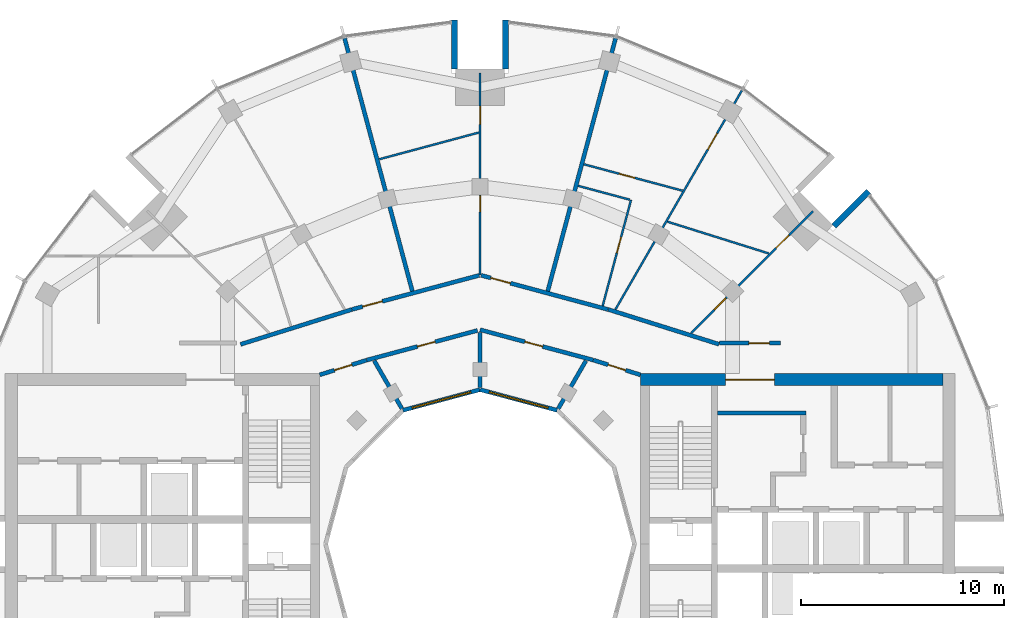
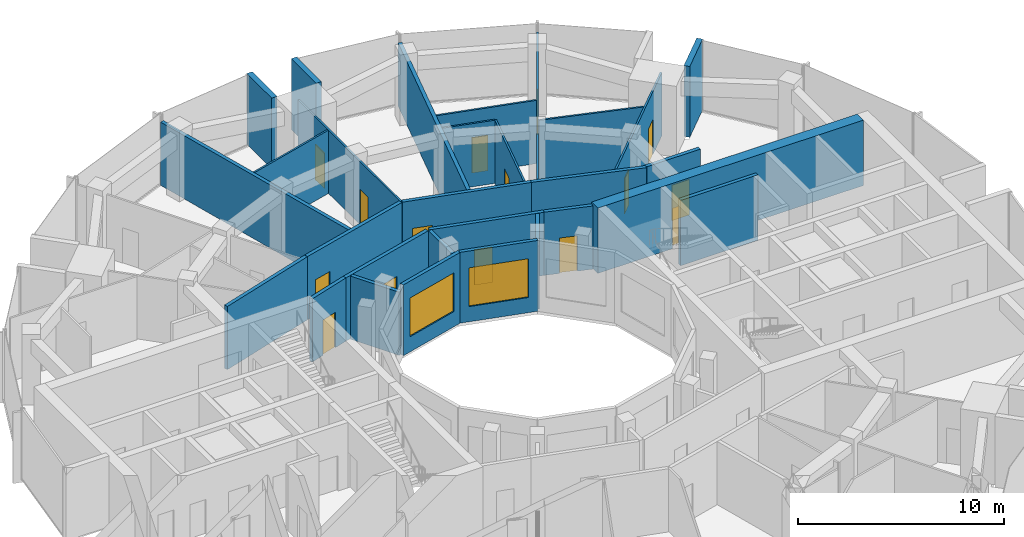
# One storey, part 12 of 15: 29 walls, 15 doors, 2 windows, 17 openings.
"""IFC4 building model written with IfcOpenShell, lengths in metres."""

import ifcopenshell
import ifcopenshell.guid

model = None  # the IFC model being written
_history = None  # IfcOwnerHistory: only IFC2X3 demands one
_inside = {}  # id of a spatial element -> (the spatial element, [elements in it])
_under = {}  # id of a project, library or spatial element -> (it, [spatial elements below it])
_declared = {}  # id of a project -> (the project, [libraries it declares])
_typed = {}  # id of a type object -> (the type object, [elements of that type])
_made_of = {}  # id of a material, layer set ... -> (it, [elements and type objects made of it])


def new_model(schema):
    """Start an empty IFC model of exactly this schema.

    Asked for "IFC4X3", IfcOpenShell would pick the latest addendum, in which some entities
    have other attributes; the version numbers below select the first issue.
    IFC2X3 requires an IfcOwnerHistory on every rooted entity: one is made here for all.
    """
    global model, _history
    if schema == "IFC4X3":
        model = ifcopenshell.file(schema_version=(4, 3, 0, 0))
    else:
        model = ifcopenshell.file(schema=schema)
    _inside.clear()
    _under.clear()
    _declared.clear()
    _typed.clear()
    _made_of.clear()
    _history = None
    if model.schema == "IFC2X3":
        org = make("IfcOrganization", Name="unknown")
        user = make(
            "IfcPersonAndOrganization",
            ThePerson=make("IfcPerson", FamilyName="unknown"),
            TheOrganization=org,
        )
        app = make(
            "IfcApplication",
            ApplicationDeveloper=org,
            Version="unknown",
            ApplicationFullName="unknown",
            ApplicationIdentifier="unknown",
        )
        _history = make(
            "IfcOwnerHistory",
            OwningUser=user,
            OwningApplication=app,
            ChangeAction="ADDED",
            CreationDate=0,
        )
    return model


def make(cls, **values):
    """One entity of the class cls with the attributes given. An attribute that is None is left unset."""
    return model.create_entity(
        cls, **{name: value for name, value in values.items() if value is not None}
    )


def rooted(cls, **values):
    """An entity with a GlobalId (a new one), such as an element, a storey or a relation."""
    return make(cls, GlobalId=ifcopenshell.guid.new(), OwnerHistory=_history, **values)


def si_unit(unit_type, name, prefix=None):
    """IfcSIUnit, for example si_unit("LENGTHUNIT", "METRE", prefix="MILLI")."""
    return make("IfcSIUnit", UnitType=unit_type, Prefix=prefix, Name=name)


def assignment(units):
    """IfcUnitAssignment: the units of a project."""
    return None if units is None else make("IfcUnitAssignment", Units=units)


def point(xyz):
    """IfcCartesianPoint."""
    return None if xyz is None else make("IfcCartesianPoint", Coordinates=xyz)


def direction(xyz):
    """IfcDirection."""
    return None if xyz is None else make("IfcDirection", DirectionRatios=xyz)


def frame(location, z_axis=None, x_axis=None):
    """IfcAxis2Placement3D, a coordinate frame: its origin and axes. An axis left out is left unset."""
    return make(
        "IfcAxis2Placement3D",
        Location=point(location),
        Axis=direction(z_axis),
        RefDirection=direction(x_axis),
    )


def frame_2d(location, x_axis=None):
    """IfcAxis2Placement2D, a coordinate frame in the plane: its origin and x axis."""
    return make(
        "IfcAxis2Placement2D", Location=point(location), RefDirection=direction(x_axis)
    )


def origin():
    """The frame at (0, 0, 0) with its axes left unset."""
    return frame((0.0, 0.0, 0.0))


def place(relative_to, where):
    """IfcLocalPlacement: puts the frame where relative to a parent placement (None: the world)."""
    return make(
        "IfcLocalPlacement", PlacementRelTo=relative_to, RelativePlacement=where
    )


def context(
    kind, dimensions, precision=None, world=None, true_north=None, identifier=None
):
    """IfcGeometricRepresentationContext, for example the 3D "Model" context."""
    return make(
        "IfcGeometricRepresentationContext",
        ContextIdentifier=identifier,
        ContextType=kind,
        CoordinateSpaceDimension=dimensions,
        Precision=precision,
        WorldCoordinateSystem=world,
        TrueNorth=true_north,
    )


def subcontext(parent, identifier, kind, view, scale=None):
    """IfcGeometricRepresentationSubContext, for example "Body" below "Model"."""
    return make(
        "IfcGeometricRepresentationSubContext",
        ContextIdentifier=identifier,
        ContextType=kind,
        ParentContext=parent,
        TargetScale=scale,
        TargetView=view,
    )


def project(units=None, contexts=None):
    """IfcProject with its units and contexts."""
    return rooted(
        "IfcProject",
        Name="project",
        RepresentationContexts=contexts,
        UnitsInContext=assignment(units),
    )


def spatial(cls, under=None, at=None, **own):
    """A site, building, storey or space (cls), placed at a placement, below another one or the project."""
    s = rooted(cls, ObjectPlacement=at, **own)
    if under is not None:
        _under.setdefault(under.id(), (under, []))[1].append(s)
    return s


def profile(cls, at=None, kind="AREA", **sizes):
    """A parametric profile (cls). Its sizes go by their IFC names, for example OverallWidth=200.0."""
    return make(cls, ProfileType=kind, Position=at, **sizes)


def rectangle(**sizes):
    """IfcRectangleProfileDef."""
    return profile("IfcRectangleProfileDef", **sizes)


def extrude(swept, where, along, depth):
    """IfcExtrudedAreaSolid: the profile swept, set in the frame where, extruded along a direction by depth."""
    return make(
        "IfcExtrudedAreaSolid",
        SweptArea=swept,
        Position=where,
        ExtrudedDirection=direction(along),
        Depth=depth,
    )


def shape(context_of_items, identifier, shape_type, items):
    """IfcShapeRepresentation: the items that make up one representation, for example the "Body"."""
    return make(
        "IfcShapeRepresentation",
        ContextOfItems=context_of_items,
        RepresentationIdentifier=identifier,
        RepresentationType=shape_type,
        Items=items,
    )


def material(Name=None, Category=None):
    """IfcMaterial."""
    return make("IfcMaterial", Name=Name, Category=Category)


def layer(
    of_material, thickness, ventilated=None, Name=None, Category=None, Priority=None
):
    """IfcMaterialLayer: one layer of a wall or slab, of a material (None: an air gap)."""
    return make(
        "IfcMaterialLayer",
        Material=of_material,
        LayerThickness=thickness,
        IsVentilated=ventilated,
        Name=Name,
        Category=Category,
        Priority=Priority,
    )


def layer_set(layers, Name=None):
    """IfcMaterialLayerSet."""
    return make("IfcMaterialLayerSet", MaterialLayers=layers, LayerSetName=Name)


def made_of(thing, what):
    """Note that an element or type object is made of a material, layer set ...; save() writes the relation."""
    if what is not None:
        _made_of.setdefault(what.id(), (what, []))[1].append(thing)
    return thing


def type_object(cls, material=None, **own):
    """A type object (cls), such as IfcWallType, which elements share."""
    return made_of(rooted(cls, **own), material)


def element(
    cls,
    number,
    at=None,
    inside=None,
    cuts=None,
    type_object=None,
    material=None,
    context=None,
    identifier="Body",
    shape_type=None,
    held_by="IfcProductDefinitionShape",
    body=None,
    shapes=None,
    **own,
):
    """One element of the class cls, such as IfcWall. Its Tag is "e" and its number.

    at: its placement. inside: the storey or other place that contains it. cuts: it is an
    opening in that element (IfcRelVoidsElement). A single representation is given by context,
    identifier, shape_type and body (its items); several are given by shapes. held_by: the class
    of the entity that holds the representations. save() writes the other relations.
    """
    e = rooted(cls, Tag="e%d" % number, ObjectPlacement=at, **own)
    if body is not None:
        shapes = [shape(context, identifier, shape_type, body)]
    if shapes is not None:
        e.Representation = make(held_by, Representations=shapes)
    if inside is not None:
        _inside.setdefault(inside.id(), (inside, []))[1].append(e)
    if cuts is not None:
        rooted(
            "IfcRelVoidsElement", RelatingBuildingElement=cuts, RelatedOpeningElement=e
        )
    if type_object is not None:
        _typed.setdefault(type_object.id(), (type_object, []))[1].append(e)
    return made_of(e, material)


def fill(opening, filler):
    """IfcRelFillsElement: the door or window that sits in an opening."""
    return rooted(
        "IfcRelFillsElement",
        RelatingOpeningElement=opening,
        RelatedBuildingElement=filler,
    )


def aggregate(whole, parts):
    """IfcRelAggregates: a whole, such as a stair, and the parts it consists of."""
    return rooted("IfcRelAggregates", RelatingObject=whole, RelatedObjects=parts)


def save(model, path):
    """Write the relations noted so far, then the file.

    IfcRelAggregates (storeys below a building ...), IfcRelContainedInSpatialStructure (elements
    in a storey), IfcRelDefinesByType, IfcRelAssociatesMaterial and IfcRelDeclares: one each for
    every whole, place, type object, material and project.
    """
    for whole, parts in _under.values():
        aggregate(whole, parts)
    for where, things in _inside.values():
        rooted(
            "IfcRelContainedInSpatialStructure",
            RelatedElements=things,
            RelatingStructure=where,
        )
    for kind, things in _typed.values():
        rooted("IfcRelDefinesByType", RelatedObjects=things, RelatingType=kind)
    for what, things in _made_of.values():
        rooted("IfcRelAssociatesMaterial", RelatedObjects=things, RelatingMaterial=what)
    for by, libraries in _declared.values():
        rooted("IfcRelDeclares", RelatingContext=by, RelatedDefinitions=libraries)
    model.write(path)


model = new_model("IFC4")

# Units and contexts
model_context = context("Model", 3, precision=1e-05, world=origin(), true_north=direction((0.0, 1.0)))
body_context = subcontext(model_context, "Body", "Model", "MODEL_VIEW")
ifc_project = project(units=[si_unit("LENGTHUNIT", "METRE"), si_unit("AREAUNIT", "SQUARE_METRE"), si_unit("VOLUMEUNIT", "CUBIC_METRE"), si_unit("PLANEANGLEUNIT", "RADIAN"), si_unit("MASSUNIT", "GRAM", prefix="KILO")], contexts=[model_context])

# Site, building, storey
site_placement = place(None, origin())
site = spatial("IfcSite", under=ifc_project, at=site_placement, CompositionType="ELEMENT")
building_placement = place(site_placement, origin())
building = spatial("IfcBuilding", under=site, at=building_placement, Name="Torre Brocal", CompositionType="ELEMENT")
storey_placement = place(building_placement, frame((0.0, 0.0, 245.699951171875)))
storey = spatial("IfcBuildingStorey", under=building, at=storey_placement, Name="L56", CompositionType="ELEMENT", Elevation=245.699951171875)

# Wall
ifc_material_1 = material(Name="Concrete C60", Category="concrete")
ifc_layer_1 = layer(ifc_material_1, 0.199951171875)
ifc_layer_set_1 = layer_set([ifc_layer_1], Name="Concrete C60")
wall_type_1 = type_object("IfcWallType", Name="CORE WALL 200 C60", PredefinedType="SHEAR", material=ifc_layer_set_1)
wall_1_placement = place(storey_placement, frame((91.699951171875, 81.449951171875, 0.0), z_axis=(0.0, 0.0, 1.0), x_axis=(1.0, 0.0, 0.0)))
element("IfcWall", 1, at=wall_1_placement, inside=storey, type_object=wall_type_1, Name="Wall CW200-60", PredefinedType="SHEAR", context=body_context, shape_type="SweptSolid", body=[
    extrude(rectangle(XDim=4.35009765625, YDim=0.199951171875, at=frame_2d((2.175048828125, 0.0))), origin(), (0.0, 0.0, 1.0), 3.880126953125),
])

# Wall, opening, door
ifc_material_2 = material(Name="Concrete C60", Category="concrete")
ifc_layer_2 = layer(ifc_material_2, 0.60009765625)
ifc_layer_set_2 = layer_set([ifc_layer_2], Name="Concrete C60")
wall_type_2 = type_object("IfcWallType", Name="CORE WALL 600 C60", PredefinedType="SHEAR", material=ifc_layer_set_2)
wall_2_placement = place(storey_placement, frame((87.89990234375, 83.10009765625, 0.0), z_axis=(0.0, 0.0, 1.0), x_axis=(1.0, 0.0, 0.0)))
wall_2 = element("IfcWall", 2, at=wall_2_placement, inside=storey, type_object=wall_type_2, Name="Wall CW600-60", PredefinedType="SHEAR", context=body_context, shape_type="SweptSolid", body=[
    extrude(rectangle(XDim=14.900146484375, YDim=0.60009765625, at=frame_2d((7.4501953125, 0.0))), origin(), (0.0, 0.0, 1.0), 3.880126953125),
])
opening_1_placement = place(wall_2_placement, frame((4.199951171875, 0.0, 0.0)))
opening_1 = element("IfcOpeningElement", 3, at=opening_1_placement, cuts=wall_2, Name="Opening E-D34", PredefinedType="OPENING", context=body_context, shape_type="SweptSolid", body=[
    extrude(rectangle(XDim=2.39990234375, YDim=2.39990234375, at=frame_2d((1.199951171875, 1.199951171875))), frame((0.0, 0.31005859375, 0.0), z_axis=(0.0, -1.0, 0.0), x_axis=(1.0, 0.0, 0.0)), (0.0, 0.0, 1.0), 0.6201171875),
])
ifc_material_3 = material(Name="Steel A653", Category="steel")
door_type_1 = type_object("IfcDoorType", Name="DOUBLE FIRE DOOR FD90 2400X2400", OperationType="DOUBLE_DOOR_SINGLE_SWING", PredefinedType="DOOR", material=ifc_material_3)
door_1_placement = place(opening_1_placement, frame((2.39990234375, 0.0, 0.0), z_axis=(0.0, 0.0, 1.0), x_axis=(-1.0, 0.0, 0.0)))
door_1 = element("IfcDoor", 4, at=door_1_placement, inside=storey, type_object=door_type_1, Name="Door E-D34", OperationType="DOUBLE_DOOR_SINGLE_SWING", OverallHeight=2.39990234375, OverallWidth=2.39990234375, PredefinedType="DOOR", context=body_context, shape_type="SweptSolid", body=[
    extrude(rectangle(XDim=2.39990234375, YDim=2.39990234375, at=frame_2d((1.199951171875, 1.199951171875))), frame((0.0, 0.02490234375, 0.0), z_axis=(0.0, -1.0, 0.0), x_axis=(1.0, 0.0, 0.0)), (0.0, 0.0, 1.0), 0.050048828125),
])
fill(opening_1, door_1)

# Walls
ifc_material_4 = material(Name="Concrete C60", Category="concrete")
ifc_layer_3 = layer(ifc_material_4, 0.300048828125)
ifc_layer_set_3 = layer_set([ifc_layer_3], Name="Concrete C60")
wall_type_3 = type_object("IfcWallType", Name="NOTCH RETURN WALL 300 C60", PredefinedType="NOTDEFINED", material=ifc_layer_set_3)
for number, where, z_axis, x_axis, name in (
    (5, (97.43017578125, 90.662353515625, 0.0), (0.0, 0.0, 1.0), (0.707106781187, 0.707106781187, 0.0), "NOTCH RETURN WALL"),
    (6, (81.25, 98.39990234375, 0.0), (0.0, 0.0, 1.0), (0.0, 1.0, 0.0), "NOTCH RETURN WALL"),
    (7, (78.75, 98.39990234375, 0.0), (0.0, 0.0, 1.0), (0.0, 1.0, 0.0), "NOTCH RETURN WALL"),
):
    element("IfcWall", number, at=place(storey_placement, frame(where, z_axis=z_axis, x_axis=x_axis)), inside=storey, type_object=wall_type_3, Name=name, PredefinedType="NOTDEFINED", context=body_context, shape_type="SweptSolid", body=[
        extrude(rectangle(XDim=2.415771484375, YDim=0.300048828125, at=frame_2d((1.2080078125, 0.0))), origin(), (0.0, 0.0, 1.0), 4.199951171875),
    ])
ifc_material_5 = material(Name="Gypsum board", Category="Gypsum")
ifc_layer_4 = layer(ifc_material_5, 0.10009765625)
ifc_layer_set_4 = layer_set([ifc_layer_4], Name="Gypsum board")
wall_type_4 = type_object("IfcWallType", Name="PARTITION 100", PredefinedType="PARTITIONING", material=ifc_layer_set_4)
wall_3_placement = place(storey_placement, frame((75.03515625, 93.95458984375, 0.0), z_axis=(0.0, 0.0, 1.0), x_axis=(0.965868648254, 0.259032342228, 0.0)))
element("IfcWall", 8, at=wall_3_placement, inside=storey, type_object=wall_type_4, Name="BATHROOM WALL", PredefinedType="PARTITIONING", context=body_context, shape_type="SweptSolid", body=[
    extrude(rectangle(XDim=5.080078125, YDim=0.10009765625, at=frame_2d((2.5400390625, 0.0))), origin(), (0.0, 0.0, 1.0), 3.75),
])

# Wall, openings, doors
wall_4_placement = place(storey_placement, frame((80.0, 88.24609375, 0.0), z_axis=(0.0, 0.0, 1.0), x_axis=(0.0, 1.0, 0.0)))
wall_4 = element("IfcWall", 9, at=wall_4_placement, inside=storey, type_object=wall_type_4, Name="BATHROOM WALL", PredefinedType="PARTITIONING", context=body_context, shape_type="SweptSolid", body=[
    extrude(rectangle(XDim=9.953857421875, YDim=0.10009765625, at=frame_2d((4.97705078125, 0.0))), origin(), (0.0, 0.0, 1.0), 3.75),
])
opening_2_placement = place(wall_4_placement, frame((7.422119140625, 0.0, 0.0)))
opening_2 = element("IfcOpeningElement", 10, at=opening_2_placement, cuts=wall_4, Name="Opening B03-D08", PredefinedType="OPENING", context=body_context, shape_type="SweptSolid", body=[
    extrude(rectangle(XDim=0.89990234375, YDim=2.10009765625, at=frame_2d((0.449951171875, 1.050048828125))), frame((0.0, 0.06005859375, 0.0), z_axis=(0.0, -1.0, 0.0), x_axis=(1.0, 0.0, 0.0)), (0.0, 0.0, 1.0), 0.1201171875),
])
opening_3_placement = place(wall_4_placement, frame((3.1201171875, 0.0, 0.0)))
opening_3 = element("IfcOpeningElement", 11, at=opening_3_placement, cuts=wall_4, Name="Opening B03-D09", PredefinedType="OPENING", context=body_context, shape_type="SweptSolid", body=[
    extrude(rectangle(XDim=0.800048828125, YDim=2.10009765625, at=frame_2d((0.39990234375, 1.050048828125))), frame((0.0, 0.06005859375, 0.0), z_axis=(0.0, -1.0, 0.0), x_axis=(1.0, 0.0, 0.0)), (0.0, 0.0, 1.0), 0.1201171875),
])
ifc_material_6 = material(Name="Timber", Category="wood")
door_type_2 = type_object("IfcDoorType", Name="BATHROOM DOOR 800X2100", OperationType="SINGLE_SWING_LEFT", PredefinedType="DOOR", material=ifc_material_6)
door_2_placement = place(opening_3_placement, origin())
door_2 = element("IfcDoor", 12, at=door_2_placement, inside=storey, type_object=door_type_2, Name="B03-D09", OperationType="SINGLE_SWING_RIGHT", OverallHeight=2.10009765625, OverallWidth=0.800048828125, PredefinedType="DOOR", context=body_context, shape_type="SweptSolid", body=[
    extrude(rectangle(XDim=0.800048828125, YDim=2.10009765625, at=frame_2d((0.39990234375, 1.050048828125))), frame((0.0, 0.02490234375, 0.0), z_axis=(0.0, -1.0, 0.0), x_axis=(1.0, 0.0, 0.0)), (0.0, 0.0, 1.0), 0.050048828125),
])
fill(opening_3, door_2)
ifc_material_7 = material(Name="Timber", Category="wood")
door_type_3 = type_object("IfcDoorType", Name="ROOM DOOR 900X2100", OperationType="SINGLE_SWING_LEFT", PredefinedType="DOOR", material=ifc_material_7)
door_3_placement = place(opening_2_placement, origin())
door_3 = element("IfcDoor", 13, at=door_3_placement, inside=storey, type_object=door_type_3, Name="B03-D08", OperationType="SINGLE_SWING_LEFT", OverallHeight=2.10009765625, OverallWidth=0.89990234375, PredefinedType="DOOR", context=body_context, shape_type="SweptSolid", body=[
    extrude(rectangle(XDim=0.89990234375, YDim=2.10009765625, at=frame_2d((0.449951171875, 1.050048828125))), frame((0.0, 0.02490234375, 0.0), z_axis=(0.0, -1.0, 0.0), x_axis=(1.0, 0.0, 0.0)), (0.0, 0.0, 1.0), 0.050048828125),
])
fill(opening_2, door_3)

# Wall
wall_5_placement = place(storey_placement, frame((84.831298828125, 92.64501953125, 0.0), z_axis=(0.0, 0.0, 1.0), x_axis=(0.965900745566, -0.258912629499, 0.0)))
element("IfcWall", 14, at=wall_5_placement, inside=storey, type_object=wall_type_4, Name="BATHROOM WALL", PredefinedType="PARTITIONING", context=body_context, shape_type="SweptSolid", body=[
    extrude(rectangle(XDim=2.649658203125, YDim=0.10009765625, at=frame_2d((1.32470703125, 0.0))), origin(), (0.0, 0.0, 1.0), 3.75),
])

# Wall, opening, door
wall_6_placement = place(storey_placement, frame((85.115966796875, 93.70703125, 0.0), z_axis=(0.0, 0.0, 1.0), x_axis=(0.965979414561, -0.258618968068, 0.0)))
wall_6 = element("IfcWall", 15, at=wall_6_placement, inside=storey, type_object=wall_type_4, Name="BATHROOM WALL", PredefinedType="PARTITIONING", context=body_context, shape_type="SweptSolid", body=[
    extrude(rectangle(XDim=5.036376953125, YDim=0.10009765625, at=frame_2d((2.51806640625, 0.0))), origin(), (0.0, 0.0, 1.0), 3.75),
])
opening_4_placement = place(wall_6_placement, frame((1.798095703125, 0.0, 0.0)))
opening_4 = element("IfcOpeningElement", 16, at=opening_4_placement, cuts=wall_6, Name="Opening B03-D06", PredefinedType="OPENING", context=body_context, shape_type="SweptSolid", body=[
    extrude(rectangle(XDim=0.800048828125, YDim=2.10009765625, at=frame_2d((0.39990234375, 1.050048828125))), frame((0.0, 0.06005859375, 0.0), z_axis=(0.0, -1.0, 0.0), x_axis=(1.0, 0.0, 0.0)), (0.0, 0.0, 1.0), 0.1201171875),
])
door_4_placement = place(opening_4_placement, origin())
door_4 = element("IfcDoor", 17, at=door_4_placement, inside=storey, type_object=door_type_2, Name="B03-D06", OperationType="SINGLE_SWING_LEFT", OverallHeight=2.10009765625, OverallWidth=0.800048828125, PredefinedType="DOOR", context=body_context, shape_type="SweptSolid", body=[
    extrude(rectangle(XDim=0.800048828125, YDim=2.10009765625, at=frame_2d((0.39990234375, 1.050048828125))), frame((0.0, 0.02490234375, 0.0), z_axis=(0.0, -1.0, 0.0), x_axis=(1.0, 0.0, 0.0)), (0.0, 0.0, 1.0), 0.050048828125),
])
fill(opening_4, door_4)

wall_7_placement = place(storey_placement, frame((86.0419921875, 86.730712890625, 0.0), z_axis=(0.0, 0.0, 1.0), x_axis=(0.258737592043, 0.96594764789, 0.0)))
wall_7 = element("IfcWall", 18, at=wall_7_placement, inside=storey, type_object=wall_type_4, Name="BATHROOM WALL", PredefinedType="PARTITIONING", context=body_context, shape_type="SweptSolid", body=[
    extrude(rectangle(XDim=5.399169921875, YDim=0.10009765625, at=frame_2d((2.69970703125, 0.0))), origin(), (0.0, 0.0, 1.0), 3.75),
])
opening_5_placement = place(wall_7_placement, frame((2.69970703125, 0.0, 0.0)))
opening_5 = element("IfcOpeningElement", 19, at=opening_5_placement, cuts=wall_7, Name="Opening B03-D05", PredefinedType="OPENING", context=body_context, shape_type="SweptSolid", body=[
    extrude(rectangle(XDim=0.800048828125, YDim=2.10009765625, at=frame_2d((0.39990234375, 1.050048828125))), frame((0.0, 0.06005859375, 0.0), z_axis=(0.0, -1.0, 0.0), x_axis=(1.0, 0.0, 0.0)), (0.0, 0.0, 1.0), 0.1201171875),
])
door_5_placement = place(opening_5_placement, origin())
door_5 = element("IfcDoor", 20, at=door_5_placement, inside=storey, type_object=door_type_2, Name="B03-D05", OperationType="SINGLE_SWING_RIGHT", OverallHeight=2.10009765625, OverallWidth=0.800048828125, PredefinedType="DOOR", context=body_context, shape_type="SweptSolid", body=[
    extrude(rectangle(XDim=0.800048828125, YDim=2.10009765625, at=frame_2d((0.39990234375, 1.050048828125))), frame((0.0, 0.02490234375, 0.0), z_axis=(0.0, -1.0, 0.0), x_axis=(1.0, 0.0, 0.0)), (0.0, 0.0, 1.0), 0.050048828125),
])
fill(opening_5, door_5)

wall_8_placement = place(storey_placement, frame((86.670654296875, 86.554443359375, 0.0), z_axis=(0.0, 0.0, 1.0), x_axis=(0.500104188531, 0.865965242151, 0.0)))
wall_8 = element("IfcWall", 21, at=wall_8_placement, inside=storey, type_object=wall_type_4, Name="BATHROOM WALL", PredefinedType="PARTITIONING", context=body_context, shape_type="SweptSolid", body=[
    extrude(rectangle(XDim=12.455810546875, YDim=0.10009765625, at=frame_2d((6.22802734375, 0.0))), origin(), (0.0, 0.0, 1.0), 3.75),
])
opening_6_placement = place(wall_8_placement, frame((9.111328125, 0.0, 0.0)))
opening_6 = element("IfcOpeningElement", 22, at=opening_6_placement, cuts=wall_8, Name="Opening B03-D04", PredefinedType="OPENING", context=body_context, shape_type="SweptSolid", body=[
    extrude(rectangle(XDim=0.89990234375, YDim=2.10009765625, at=frame_2d((0.449951171875, 1.050048828125))), frame((0.0, 0.06005859375, 0.0), z_axis=(0.0, -1.0, 0.0), x_axis=(1.0, 0.0, 0.0)), (0.0, 0.0, 1.0), 0.1201171875),
])
door_6_placement = place(opening_6_placement, frame((0.89990234375, 0.0, 0.0), z_axis=(0.0, 0.0, 1.0), x_axis=(-1.0, 0.0, 0.0)))
door_6 = element("IfcDoor", 23, at=door_6_placement, inside=storey, type_object=door_type_3, Name="B03-D04", OperationType="SINGLE_SWING_LEFT", OverallHeight=2.10009765625, OverallWidth=0.89990234375, PredefinedType="DOOR", context=body_context, shape_type="SweptSolid", body=[
    extrude(rectangle(XDim=0.89990234375, YDim=2.10009765625, at=frame_2d((0.449951171875, 1.050048828125))), frame((0.0, 0.02490234375, 0.0), z_axis=(0.0, -1.0, 0.0), x_axis=(1.0, 0.0, 0.0)), (0.0, 0.0, 1.0), 0.050048828125),
])
fill(opening_6, door_6)

# Wall
wall_9_placement = place(storey_placement, frame((89.2353515625, 90.8779296875, 0.0), z_axis=(0.0, 0.0, 1.0), x_axis=(0.954193795587, -0.299189238548, 0.0)))
element("IfcWall", 24, at=wall_9_placement, inside=storey, type_object=wall_type_4, Name="BATHROOM WALL", PredefinedType="PARTITIONING", context=body_context, shape_type="SweptSolid", body=[
    extrude(rectangle(XDim=5.229736328125, YDim=0.10009765625, at=frame_2d((2.61474609375, 0.0))), origin(), (0.0, 0.0, 1.0), 3.75),
])

# Wall, openings, doors
wall_10_placement = place(storey_placement, frame((90.396484375, 85.393310546875, 0.0), z_axis=(0.0, 0.0, 1.0), x_axis=(0.707279106146, 0.706934414221, 0.0)))
wall_10 = element("IfcWall", 25, at=wall_10_placement, inside=storey, type_object=wall_type_4, Name="BATHROOM WALL", PredefinedType="PARTITIONING", context=body_context, shape_type="SweptSolid", body=[
    extrude(rectangle(XDim=8.49951171875, YDim=0.10009765625, at=frame_2d((4.249755859375, 0.0))), origin(), (0.0, 0.0, 1.0), 3.75),
])
opening_7_placement = place(wall_10_placement, frame((5.9189453125, 0.0, 0.0)))
opening_7 = element("IfcOpeningElement", 26, at=opening_7_placement, cuts=wall_10, Name="Opening B03-D02", PredefinedType="OPENING", context=body_context, shape_type="SweptSolid", body=[
    extrude(rectangle(XDim=0.89990234375, YDim=2.10009765625, at=frame_2d((0.449951171875, 1.050048828125))), frame((0.0, 0.06005859375, 0.0), z_axis=(0.0, -1.0, 0.0), x_axis=(1.0, 0.0, 0.0)), (0.0, 0.0, 1.0), 0.1201171875),
])
opening_8_placement = place(wall_10_placement, frame((1.6171875, 0.0, 0.0)))
opening_8 = element("IfcOpeningElement", 27, at=opening_8_placement, cuts=wall_10, Name="Opening B03-D03", PredefinedType="OPENING", context=body_context, shape_type="SweptSolid", body=[
    extrude(rectangle(XDim=0.800048828125, YDim=2.10009765625, at=frame_2d((0.39990234375, 1.050048828125))), frame((0.0, 0.06005859375, 0.0), z_axis=(0.0, -1.0, 0.0), x_axis=(1.0, 0.0, 0.0)), (0.0, 0.0, 1.0), 0.1201171875),
])
door_7_placement = place(opening_8_placement, origin())
door_7 = element("IfcDoor", 28, at=door_7_placement, inside=storey, type_object=door_type_2, Name="B03-D03", OperationType="SINGLE_SWING_LEFT", OverallHeight=2.10009765625, OverallWidth=0.800048828125, PredefinedType="DOOR", context=body_context, shape_type="SweptSolid", body=[
    extrude(rectangle(XDim=0.800048828125, YDim=2.10009765625, at=frame_2d((0.39990234375, 1.050048828125))), frame((0.0, 0.02490234375, 0.0), z_axis=(0.0, -1.0, 0.0), x_axis=(1.0, 0.0, 0.0)), (0.0, 0.0, 1.0), 0.050048828125),
])
fill(opening_8, door_7)
door_8_placement = place(opening_7_placement, frame((0.89990234375, 0.0, 0.0), z_axis=(0.0, 0.0, 1.0), x_axis=(-1.0, 0.0, 0.0)))
door_8 = element("IfcDoor", 29, at=door_8_placement, inside=storey, type_object=door_type_3, Name="B03-D02", OperationType="SINGLE_SWING_LEFT", OverallHeight=2.10009765625, OverallWidth=0.89990234375, PredefinedType="DOOR", context=body_context, shape_type="SweptSolid", body=[
    extrude(rectangle(XDim=0.89990234375, YDim=2.10009765625, at=frame_2d((0.449951171875, 1.050048828125))), frame((0.0, 0.02490234375, 0.0), z_axis=(0.0, -1.0, 0.0), x_axis=(1.0, 0.0, 0.0)), (0.0, 0.0, 1.0), 0.050048828125),
])
fill(opening_7, door_8)

# Wall
ifc_material_8 = material(Name="Gypsum board", Category="Gypsum")
ifc_layer_5 = layer(ifc_material_8, 0.199951171875)
ifc_layer_set_5 = layer_set([ifc_layer_5], Name="Gypsum board")
wall_type_5 = type_object("IfcWallType", Name="PARTITION 200 EI60", PredefinedType="PARTITIONING", material=ifc_layer_set_5)
wall_11_placement = place(storey_placement, frame((68.19970703125, 84.833984375, 0.0), z_axis=(0.0, 0.0, 1.0), x_axis=(0.954272398161, 0.298938438661, 0.0)))
element("IfcWall", 30, at=wall_11_placement, inside=storey, type_object=wall_type_5, Name="FLAT ENTRANCE WALL", PredefinedType="PARTITIONING", context=body_context, shape_type="SweptSolid", body=[
    extrude(rectangle(XDim=5.740478515625, YDim=0.199951171875, at=frame_2d((2.8701171875, 0.0))), origin(), (0.0, 0.0, 1.0), 3.75),
])

# Wall, opening, door
wall_12_placement = place(storey_placement, frame((72.10009765625, 83.33203125, 0.0), z_axis=(0.0, 0.0, 1.0), x_axis=(0.954233106619, 0.299063836383, 0.0)))
wall_12 = element("IfcWall", 31, at=wall_12_placement, inside=storey, type_object=wall_type_5, Name="CORRIDOR WALL", PredefinedType="PARTITIONING", context=body_context, shape_type="SweptSolid", body=[
    extrude(rectangle(XDim=2.4140625, YDim=0.199951171875, at=frame_2d((1.20703125, 0.0))), origin(), (0.0, 0.0, 1.0), 3.75),
])
opening_9_placement = place(wall_12_placement, frame((0.761962890625, 0.0, 0.0)))
opening_9 = element("IfcOpeningElement", 32, at=opening_9_placement, cuts=wall_12, Name="Opening B03-D20", PredefinedType="OPENING", context=body_context, shape_type="SweptSolid", body=[
    extrude(rectangle(XDim=0.89990234375, YDim=2.10009765625, at=frame_2d((0.449951171875, 1.050048828125))), frame((0.0, 0.10986328125, 0.0), z_axis=(0.0, -1.0, 0.0), x_axis=(1.0, 0.0, 0.0)), (0.0, 0.0, 1.0), 0.219970703125),
])
door_9_placement = place(opening_9_placement, frame((0.89990234375, 0.0, 0.0), z_axis=(0.0, 0.0, 1.0), x_axis=(-1.0, 0.0, 0.0)))
door_9 = element("IfcDoor", 33, at=door_9_placement, inside=storey, type_object=door_type_3, Name="B03-D20", OperationType="SINGLE_SWING_RIGHT", OverallHeight=2.10009765625, OverallWidth=0.89990234375, PredefinedType="DOOR", context=body_context, shape_type="SweptSolid", body=[
    extrude(rectangle(XDim=0.89990234375, YDim=2.10009765625, at=frame_2d((0.449951171875, 1.050048828125))), frame((0.0, 0.02490234375, 0.0), z_axis=(0.0, -1.0, 0.0), x_axis=(1.0, 0.0, 0.0)), (0.0, 0.0, 1.0), 0.050048828125),
])
fill(opening_9, door_9)

# Wall
wall_13_placement = place(storey_placement, frame((73.324951171875, 99.919921875, 0.0), z_axis=(0.0, 0.0, 1.0), x_axis=(0.258745857482, -0.965945433881, 0.0)))
element("IfcWall", 34, at=wall_13_placement, inside=storey, type_object=wall_type_5, Name="BATHROOM WALL", PredefinedType="PARTITIONING", context=body_context, shape_type="SweptSolid", body=[
    extrude(rectangle(XDim=12.904052734375, YDim=0.199951171875, at=frame_2d((6.4521484375, 0.0))), origin(), (0.0, 0.0, 1.0), 3.75),
])

# Wall, opening, door
wall_14_placement = place(storey_placement, frame((73.68701171875, 86.55419921875, 0.0), z_axis=(0.0, 0.0, 1.0), x_axis=(0.96595928904, 0.258694128106, 0.0)))
wall_14 = element("IfcWall", 35, at=wall_14_placement, inside=storey, type_object=wall_type_5, Name="FLAT ENTRANCE WALL", PredefinedType="PARTITIONING", context=body_context, shape_type="SweptSolid", body=[
    extrude(rectangle(XDim=6.495849609375, YDim=0.199951171875, at=frame_2d((3.248046875, 0.0))), origin(), (0.0, 0.0, 1.0), 3.75),
])
opening_10_placement = place(wall_14_placement, frame((0.550048828125, 0.0, 0.0)))
opening_10 = element("IfcOpeningElement", 36, at=opening_10_placement, cuts=wall_14, Name="Opening B03-D10", PredefinedType="OPENING", context=body_context, shape_type="SweptSolid", body=[
    extrude(rectangle(XDim=1.0, YDim=2.10009765625, at=frame_2d((0.5, 1.050048828125))), frame((0.0, 0.10986328125, 0.0), z_axis=(0.0, -1.0, 0.0), x_axis=(1.0, 0.0, 0.0)), (0.0, 0.0, 1.0), 0.219970703125),
])
ifc_material_9 = material(Name="Timber", Category="wood")
door_type_4 = type_object("IfcDoorType", Name="FLAT ENTRY DOOR FD30S 1000X2100", OperationType="SINGLE_SWING_RIGHT", PredefinedType="DOOR", material=ifc_material_9)
door_10_placement = place(opening_10_placement, origin())
door_10 = element("IfcDoor", 37, at=door_10_placement, inside=storey, type_object=door_type_4, Name="B03-D10", OperationType="SINGLE_SWING_LEFT", OverallHeight=2.10009765625, OverallWidth=1.0, PredefinedType="DOOR", context=body_context, shape_type="SweptSolid", body=[
    extrude(rectangle(XDim=1.0, YDim=2.10009765625, at=frame_2d((0.5, 1.050048828125))), frame((0.0, 0.02490234375, 0.0), z_axis=(0.0, -1.0, 0.0), x_axis=(1.0, 0.0, 0.0)), (0.0, 0.0, 1.0), 0.050048828125),
])
fill(opening_10, door_10)

wall_15_placement = place(storey_placement, frame((74.4130859375, 84.056884765625, 0.0), z_axis=(0.0, 0.0, 1.0), x_axis=(0.965972135939, 0.258646153246, 0.0)))
wall_15 = element("IfcWall", 38, at=wall_15_placement, inside=storey, type_object=wall_type_5, Name="CORRIDOR WALL", PredefinedType="PARTITIONING", context=body_context, shape_type="SweptSolid", body=[
    extrude(rectangle(XDim=5.654052734375, YDim=0.199951171875, at=frame_2d((2.8271484375, 0.0))), origin(), (0.0, 0.0, 1.0), 3.75),
])
opening_11_placement = place(wall_15_placement, frame((2.5927734375, 0.0, 0.0)))
opening_11 = element("IfcOpeningElement", 39, at=opening_11_placement, cuts=wall_15, Name="Opening B03-D19", PredefinedType="OPENING", context=body_context, shape_type="SweptSolid", body=[
    extrude(rectangle(XDim=0.89990234375, YDim=2.10009765625, at=frame_2d((0.449951171875, 1.050048828125))), frame((0.0, 0.10986328125, 0.0), z_axis=(0.0, -1.0, 0.0), x_axis=(1.0, 0.0, 0.0)), (0.0, 0.0, 1.0), 0.219970703125),
])
door_11_placement = place(opening_11_placement, frame((0.89990234375, 0.0, 0.0), z_axis=(0.0, 0.0, 1.0), x_axis=(-1.0, 0.0, 0.0)))
door_11 = element("IfcDoor", 40, at=door_11_placement, inside=storey, type_object=door_type_3, Name="B03-D19", OperationType="SINGLE_SWING_RIGHT", OverallHeight=2.10009765625, OverallWidth=0.89990234375, PredefinedType="DOOR", context=body_context, shape_type="SweptSolid", body=[
    extrude(rectangle(XDim=0.89990234375, YDim=2.10009765625, at=frame_2d((0.449951171875, 1.050048828125))), frame((0.0, 0.02490234375, 0.0), z_axis=(0.0, -1.0, 0.0), x_axis=(1.0, 0.0, 0.0)), (0.0, 0.0, 1.0), 0.050048828125),
])
fill(opening_11, door_11)

# Walls
wall_16_placement = place(storey_placement, frame((74.787353515625, 84.027099609375, 0.0), z_axis=(0.0, 0.0, 1.0), x_axis=(0.500079107518, -0.86597972622, 0.0)))
element("IfcWall", 41, at=wall_16_placement, inside=storey, type_object=wall_type_5, Name="SERVICE ROOM WALL", PredefinedType="PARTITIONING", context=body_context, shape_type="SweptSolid", body=[
    extrude(rectangle(XDim=2.7255859375, YDim=0.199951171875, at=frame_2d((1.36279296875, 0.0))), origin(), (0.0, 0.0, 1.0), 3.75),
])
wall_17_placement = place(storey_placement, frame((80.0, 82.698974609375, 0.0), z_axis=(0.0, 0.0, 1.0), x_axis=(0.0, 1.0, 0.0)))
element("IfcWall", 42, at=wall_17_placement, inside=storey, type_object=wall_type_5, Name="SERVICE ROOM WALL", PredefinedType="PARTITIONING", context=body_context, shape_type="SweptSolid", body=[
    extrude(rectangle(XDim=2.72509765625, YDim=0.199951171875, at=frame_2d((1.362548828125, 0.0))), origin(), (0.0, 0.0, 1.0), 3.75),
])

# Wall, opening, door
wall_18_placement = place(storey_placement, frame((80.0, 85.553955078125, 0.0), z_axis=(0.0, 0.0, 1.0), x_axis=(0.965928989968, -0.258807237802, 0.0)))
wall_18 = element("IfcWall", 43, at=wall_18_placement, inside=storey, type_object=wall_type_5, Name="CORRIDOR WALL", PredefinedType="PARTITIONING", context=body_context, shape_type="SweptSolid", body=[
    extrude(rectangle(XDim=5.774169921875, YDim=0.199951171875, at=frame_2d((2.88720703125, 0.0))), origin(), (0.0, 0.0, 1.0), 3.75),
])
opening_12_placement = place(wall_18_placement, frame((2.29150390625, 0.0, 0.0)))
opening_12 = element("IfcOpeningElement", 44, at=opening_12_placement, cuts=wall_18, Name="Opening B03-D18", PredefinedType="OPENING", context=body_context, shape_type="SweptSolid", body=[
    extrude(rectangle(XDim=0.89990234375, YDim=2.10009765625, at=frame_2d((0.449951171875, 1.050048828125))), frame((0.0, 0.10986328125, 0.0), z_axis=(0.0, -1.0, 0.0), x_axis=(1.0, 0.0, 0.0)), (0.0, 0.0, 1.0), 0.219970703125),
])
door_12_placement = place(opening_12_placement, frame((0.89990234375, 0.0, 0.0), z_axis=(0.0, 0.0, 1.0), x_axis=(-1.0, 0.0, 0.0)))
door_12 = element("IfcDoor", 45, at=door_12_placement, inside=storey, type_object=door_type_3, Name="B03-D18", OperationType="SINGLE_SWING_LEFT", OverallHeight=2.10009765625, OverallWidth=0.89990234375, PredefinedType="DOOR", context=body_context, shape_type="SweptSolid", body=[
    extrude(rectangle(XDim=0.89990234375, YDim=2.10009765625, at=frame_2d((0.449951171875, 1.050048828125))), frame((0.0, 0.02490234375, 0.0), z_axis=(0.0, -1.0, 0.0), x_axis=(1.0, 0.0, 0.0)), (0.0, 0.0, 1.0), 0.050048828125),
])
fill(opening_12, door_12)

wall_19_placement = place(storey_placement, frame((80.04931640625, 88.237060546875, 0.0), z_axis=(0.0, 0.0, 1.0), x_axis=(0.965582990495, -0.260095152718, 0.0)))
wall_19 = element("IfcWall", 46, at=wall_19_placement, inside=storey, type_object=wall_type_5, Name="FLAT ENTRANCE WALL", PredefinedType="PARTITIONING", context=body_context, shape_type="SweptSolid", body=[
    extrude(rectangle(XDim=6.475830078125, YDim=0.199951171875, at=frame_2d((3.23779296875, 0.0))), origin(), (0.0, 0.0, 1.0), 3.75),
])
opening_13_placement = place(wall_19_placement, frame((0.5, 0.0, 0.0)))
opening_13 = element("IfcOpeningElement", 47, at=opening_13_placement, cuts=wall_19, Name="Opening B03-D07", PredefinedType="OPENING", context=body_context, shape_type="SweptSolid", body=[
    extrude(rectangle(XDim=1.0, YDim=2.10009765625, at=frame_2d((0.5, 1.050048828125))), frame((0.0, 0.10986328125, 0.0), z_axis=(0.0, -1.0, 0.0), x_axis=(1.0, 0.0, 0.0)), (0.0, 0.0, 1.0), 0.219970703125),
])
door_13_placement = place(opening_13_placement, origin())
door_13 = element("IfcDoor", 48, at=door_13_placement, inside=storey, type_object=door_type_4, Name="B03-D07", OperationType="SINGLE_SWING_LEFT", OverallHeight=2.10009765625, OverallWidth=1.0, PredefinedType="DOOR", context=body_context, shape_type="SweptSolid", body=[
    extrude(rectangle(XDim=1.0, YDim=2.10009765625, at=frame_2d((0.5, 1.050048828125))), frame((0.0, 0.02490234375, 0.0), z_axis=(0.0, -1.0, 0.0), x_axis=(1.0, 0.0, 0.0)), (0.0, 0.0, 1.0), 0.050048828125),
])
fill(opening_13, door_13)

# Walls
wall_20_placement = place(storey_placement, frame((83.335205078125, 87.45556640625, 0.0), z_axis=(0.0, 0.0, 1.0), x_axis=(0.259184958139, 0.965827705895, 0.0)))
element("IfcWall", 49, at=wall_20_placement, inside=storey, type_object=wall_type_5, Name="BATHROOM WALL", PredefinedType="PARTITIONING", context=body_context, shape_type="SweptSolid", body=[
    extrude(rectangle(XDim=12.90380859375, YDim=0.199951171875, at=frame_2d((6.451904296875, 0.0))), origin(), (0.0, 0.0, 1.0), 3.75),
])
wall_21_placement = place(storey_placement, frame((83.85205078125, 81.665283203125, 0.0), z_axis=(0.0, 0.0, 1.0), x_axis=(0.500185068774, 0.865918527909, 0.0)))
element("IfcWall", 50, at=wall_21_placement, inside=storey, type_object=wall_type_5, Name="PARTY PARTITION", PredefinedType="PARTITIONING", context=body_context, shape_type="SweptSolid", body=[
    extrude(rectangle(XDim=2.7255859375, YDim=0.199951171875, at=frame_2d((1.36279296875, 0.0))), origin(), (0.0, 0.0, 1.0), 3.75),
])

# Wall, opening, door
wall_22_placement = place(storey_placement, frame((85.5869140625, 84.056884765625, 0.0), z_axis=(0.0, 0.0, 1.0), x_axis=(0.954239513179, -0.299043393987, 0.0)))
wall_22 = element("IfcWall", 51, at=wall_22_placement, inside=storey, type_object=wall_type_5, Name="CORRIDOR WALL", PredefinedType="PARTITIONING", context=body_context, shape_type="SweptSolid", body=[
    extrude(rectangle(XDim=2.423828125, YDim=0.199951171875, at=frame_2d((1.2119140625, 0.0))), origin(), (0.0, 0.0, 1.0), 3.75),
])
opening_14_placement = place(wall_22_placement, frame((0.761962890625, 0.0, 0.0)))
opening_14 = element("IfcOpeningElement", 52, at=opening_14_placement, cuts=wall_22, Name="Opening B03-D17", PredefinedType="OPENING", context=body_context, shape_type="SweptSolid", body=[
    extrude(rectangle(XDim=0.89990234375, YDim=2.10009765625, at=frame_2d((0.449951171875, 1.050048828125))), frame((0.0, 0.10986328125, 0.0), z_axis=(0.0, -1.0, 0.0), x_axis=(1.0, 0.0, 0.0)), (0.0, 0.0, 1.0), 0.219970703125),
])
door_14_placement = place(opening_14_placement, frame((0.89990234375, 0.0, 0.0), z_axis=(0.0, 0.0, 1.0), x_axis=(-1.0, 0.0, 0.0)))
door_14 = element("IfcDoor", 53, at=door_14_placement, inside=storey, type_object=door_type_3, Name="B03-D17", OperationType="SINGLE_SWING_LEFT", OverallHeight=2.10009765625, OverallWidth=0.89990234375, PredefinedType="DOOR", context=body_context, shape_type="SweptSolid", body=[
    extrude(rectangle(XDim=0.89990234375, YDim=2.10009765625, at=frame_2d((0.449951171875, 1.050048828125))), frame((0.0, 0.02490234375, 0.0), z_axis=(0.0, -1.0, 0.0), x_axis=(1.0, 0.0, 0.0)), (0.0, 0.0, 1.0), 0.050048828125),
])
fill(opening_14, door_14)

# Wall
wall_23_placement = place(storey_placement, frame((86.31298828125, 86.554443359375, 0.0), z_axis=(0.0, 0.0, 1.0), x_axis=(0.954081217458, -0.299548043717, 0.0)))
element("IfcWall", 54, at=wall_23_placement, inside=storey, type_object=wall_type_5, Name="FLAT ENTRANCE WALL", PredefinedType="PARTITIONING", context=body_context, shape_type="SweptSolid", body=[
    extrude(rectangle(XDim=5.720703125, YDim=0.199951171875, at=frame_2d((2.8603515625, 0.0))), origin(), (0.0, 0.0, 1.0), 3.75),
])

# Wall, opening, door
wall_24_placement = place(storey_placement, frame((91.800048828125, 84.89990234375, 0.0), z_axis=(0.0, 0.0, 1.0), x_axis=(1.0, 0.0, 0.0)))
wall_24 = element("IfcWall", 55, at=wall_24_placement, inside=storey, type_object=wall_type_5, Name="FLAT ENTRANCE WALL", PredefinedType="PARTITIONING", context=body_context, shape_type="SweptSolid", body=[
    extrude(rectangle(XDim=3.0, YDim=0.199951171875, at=frame_2d((1.5, 0.0))), origin(), (0.0, 0.0, 1.0), 3.75),
])
opening_15_placement = place(wall_24_placement, frame((1.449951171875, 0.0, 0.0)))
opening_15 = element("IfcOpeningElement", 56, at=opening_15_placement, cuts=wall_24, Name="Opening B03-D01", PredefinedType="OPENING", context=body_context, shape_type="SweptSolid", body=[
    extrude(rectangle(XDim=1.0, YDim=2.10009765625, at=frame_2d((0.5, 1.050048828125))), frame((0.0, 0.10986328125, 0.0), z_axis=(0.0, -1.0, 0.0), x_axis=(1.0, 0.0, 0.0)), (0.0, 0.0, 1.0), 0.219970703125),
])
door_15_placement = place(opening_15_placement, origin())
door_15 = element("IfcDoor", 57, at=door_15_placement, inside=storey, type_object=door_type_4, Name="B03-D01", OperationType="SINGLE_SWING_LEFT", OverallHeight=2.10009765625, OverallWidth=1.0, PredefinedType="DOOR", context=body_context, shape_type="SweptSolid", body=[
    extrude(rectangle(XDim=1.0, YDim=2.10009765625, at=frame_2d((0.5, 1.050048828125))), frame((0.0, 0.02490234375, 0.0), z_axis=(0.0, -1.0, 0.0), x_axis=(1.0, 0.0, 0.0)), (0.0, 0.0, 1.0), 0.050048828125),
])
fill(opening_15, door_15)

# Wall, opening, window
ifc_material_10 = material(Name="Concrete C40", Category="concrete")
ifc_layer_6 = layer(ifc_material_10, 0.199951171875)
ifc_layer_set_6 = layer_set([ifc_layer_6], Name="Concrete C40")
wall_type_6 = type_object("IfcWallType", Name="WELL FACADE WALL 200", PredefinedType="NOTDEFINED", material=ifc_layer_set_6)
wall_25_placement = place(storey_placement, frame((83.8017578125, 81.5849609375, 0.0), z_axis=(0.0, 0.0, 1.0), x_axis=(-0.965933654434, 0.258789828301, 0.0)))
wall_25 = element("IfcWall", 58, at=wall_25_placement, inside=storey, type_object=wall_type_6, Name="WELL FACADE WALL", PredefinedType="NOTDEFINED", context=body_context, shape_type="SweptSolid", body=[
    extrude(rectangle(XDim=3.935791015625, YDim=0.199951171875, at=frame_2d((1.9677734375, 0.0))), origin(), (0.0, 0.0, 1.0), 4.199951171875),
])
opening_16_placement = place(wall_25_placement, frame((0.468017578125, 0.0, 0.89990234375)))
opening_16 = element("IfcOpeningElement", 59, at=opening_16_placement, cuts=wall_25, Name="Opening W1", PredefinedType="OPENING", context=body_context, shape_type="SweptSolid", body=[
    extrude(rectangle(XDim=3.0, YDim=2.300048828125, at=frame_2d((1.5, 1.14990234375))), frame((0.0, 0.10986328125, 0.0), z_axis=(0.0, -1.0, 0.0), x_axis=(1.0, 0.0, 0.0)), (0.0, 0.0, 1.0), 0.219970703125),
])
ifc_material_11 = material(Name="Aluminium and glass", Category="aluminium")
window_type = type_object("IfcWindowType", Name="WELL WINDOW 3000X2300", PartitioningType="SINGLE_PANEL", PredefinedType="WINDOW", material=ifc_material_11)
window_1_placement = place(opening_16_placement, origin())
window_1 = element("IfcWindow", 60, at=window_1_placement, inside=storey, type_object=window_type, Name="WELL WINDOW 3000X2300", OverallHeight=2.300048828125, OverallWidth=3.0, PartitioningType="SINGLE_PANEL", PredefinedType="WINDOW", context=body_context, shape_type="SweptSolid", body=[
    extrude(rectangle(XDim=3.0, YDim=2.300048828125, at=frame_2d((1.5, 1.14990234375))), frame((0.0, 0.030029296875, 0.0), z_axis=(0.0, -1.0, 0.0), x_axis=(1.0, 0.0, 0.0)), (0.0, 0.0, 1.0), 0.06005859375),
])
fill(opening_16, window_1)

wall_26_placement = place(storey_placement, frame((80.0, 82.603515625, 0.0), z_axis=(0.0, 0.0, 1.0), x_axis=(-0.965933654434, -0.258789828301, 0.0)))
wall_26 = element("IfcWall", 61, at=wall_26_placement, inside=storey, type_object=wall_type_6, Name="WELL FACADE WALL", PredefinedType="NOTDEFINED", context=body_context, shape_type="SweptSolid", body=[
    extrude(rectangle(XDim=3.935791015625, YDim=0.199951171875, at=frame_2d((1.9677734375, 0.0))), origin(), (0.0, 0.0, 1.0), 4.199951171875),
])
opening_17_placement = place(wall_26_placement, frame((0.468017578125, 0.0, 0.89990234375)))
opening_17 = element("IfcOpeningElement", 62, at=opening_17_placement, cuts=wall_26, Name="Opening W1", PredefinedType="OPENING", context=body_context, shape_type="SweptSolid", body=[
    extrude(rectangle(XDim=3.0, YDim=2.300048828125, at=frame_2d((1.5, 1.14990234375))), frame((0.0, 0.10986328125, 0.0), z_axis=(0.0, -1.0, 0.0), x_axis=(1.0, 0.0, 0.0)), (0.0, 0.0, 1.0), 0.219970703125),
])
window_2_placement = place(opening_17_placement, origin())
window_2 = element("IfcWindow", 63, at=window_2_placement, inside=storey, type_object=window_type, Name="WELL WINDOW 3000X2300", OverallHeight=2.300048828125, OverallWidth=3.0, PartitioningType="SINGLE_PANEL", PredefinedType="WINDOW", context=body_context, shape_type="SweptSolid", body=[
    extrude(rectangle(XDim=3.0, YDim=2.300048828125, at=frame_2d((1.5, 1.14990234375))), frame((0.0, 0.030029296875, 0.0), z_axis=(0.0, -1.0, 0.0), x_axis=(1.0, 0.0, 0.0)), (0.0, 0.0, 1.0), 0.06005859375),
])
fill(opening_17, window_2)

save(model, "model.ifc")
